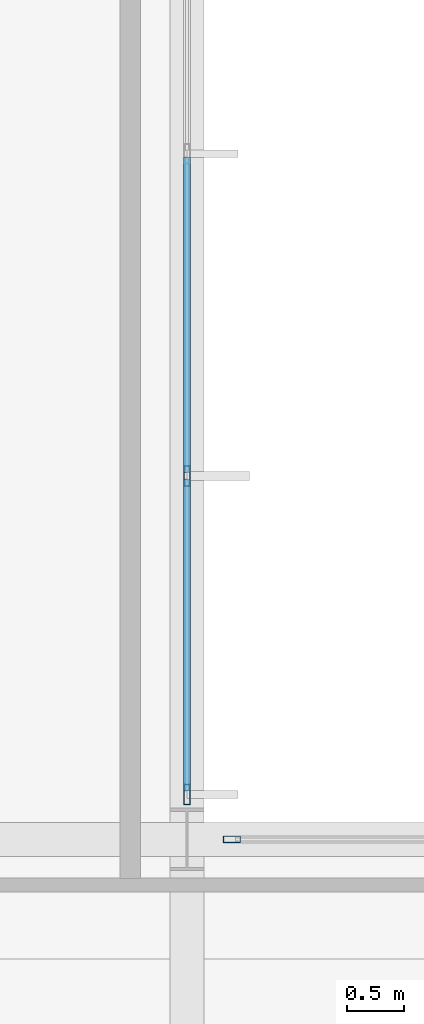
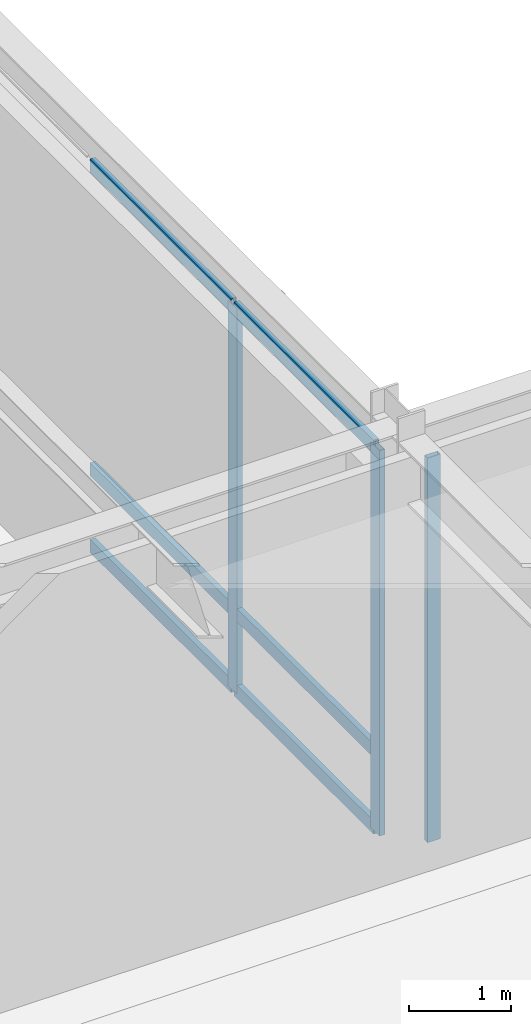
# One storey, part 49 of 143: 9 members, 2 elements without a shape of their own.
"""IFC4 building model written with IfcOpenShell, lengths in metres."""

import ifcopenshell
import ifcopenshell.guid

model = None  # the IFC model being written
_history = None  # IfcOwnerHistory: only IFC2X3 demands one
_inside = {}  # id of a spatial element -> (the spatial element, [elements in it])
_under = {}  # id of a project, library or spatial element -> (it, [spatial elements below it])
_declared = {}  # id of a project -> (the project, [libraries it declares])
_typed = {}  # id of a type object -> (the type object, [elements of that type])
_made_of = {}  # id of a material, layer set ... -> (it, [elements and type objects made of it])


def new_model(schema):
    """Start an empty IFC model of exactly this schema.

    Asked for "IFC4X3", IfcOpenShell would pick the latest addendum, in which some entities
    have other attributes; the version numbers below select the first issue.
    IFC2X3 requires an IfcOwnerHistory on every rooted entity: one is made here for all.
    """
    global model, _history
    if schema == "IFC4X3":
        model = ifcopenshell.file(schema_version=(4, 3, 0, 0))
    else:
        model = ifcopenshell.file(schema=schema)
    _inside.clear()
    _under.clear()
    _declared.clear()
    _typed.clear()
    _made_of.clear()
    _history = None
    if model.schema == "IFC2X3":
        org = make("IfcOrganization", Name="unknown")
        user = make(
            "IfcPersonAndOrganization",
            ThePerson=make("IfcPerson", FamilyName="unknown"),
            TheOrganization=org,
        )
        app = make(
            "IfcApplication",
            ApplicationDeveloper=org,
            Version="unknown",
            ApplicationFullName="unknown",
            ApplicationIdentifier="unknown",
        )
        _history = make(
            "IfcOwnerHistory",
            OwningUser=user,
            OwningApplication=app,
            ChangeAction="ADDED",
            CreationDate=0,
        )
    return model


def make(cls, **values):
    """One entity of the class cls with the attributes given. An attribute that is None is left unset."""
    return model.create_entity(
        cls, **{name: value for name, value in values.items() if value is not None}
    )


def rooted(cls, **values):
    """An entity with a GlobalId (a new one), such as an element, a storey or a relation."""
    return make(cls, GlobalId=ifcopenshell.guid.new(), OwnerHistory=_history, **values)


def si_unit(unit_type, name, prefix=None):
    """IfcSIUnit, for example si_unit("LENGTHUNIT", "METRE", prefix="MILLI")."""
    return make("IfcSIUnit", UnitType=unit_type, Prefix=prefix, Name=name)


def assignment(units):
    """IfcUnitAssignment: the units of a project."""
    return None if units is None else make("IfcUnitAssignment", Units=units)


def point(xyz):
    """IfcCartesianPoint."""
    return None if xyz is None else make("IfcCartesianPoint", Coordinates=xyz)


def direction(xyz):
    """IfcDirection."""
    return None if xyz is None else make("IfcDirection", DirectionRatios=xyz)


def frame(location, z_axis=None, x_axis=None):
    """IfcAxis2Placement3D, a coordinate frame: its origin and axes. An axis left out is left unset."""
    return make(
        "IfcAxis2Placement3D",
        Location=point(location),
        Axis=direction(z_axis),
        RefDirection=direction(x_axis),
    )


def frame_2d(location, x_axis=None):
    """IfcAxis2Placement2D, a coordinate frame in the plane: its origin and x axis."""
    return make(
        "IfcAxis2Placement2D", Location=point(location), RefDirection=direction(x_axis)
    )


def origin():
    """The frame at (0, 0, 0) with its axes left unset."""
    return frame((0.0, 0.0, 0.0))


def origin_2d():
    """The frame at (0, 0) in the plane with its x axis left unset."""
    return frame_2d((0.0, 0.0))


def place(relative_to, where):
    """IfcLocalPlacement: puts the frame where relative to a parent placement (None: the world)."""
    return make(
        "IfcLocalPlacement", PlacementRelTo=relative_to, RelativePlacement=where
    )


def context(
    kind, dimensions, precision=None, world=None, true_north=None, identifier=None
):
    """IfcGeometricRepresentationContext, for example the 3D "Model" context."""
    return make(
        "IfcGeometricRepresentationContext",
        ContextIdentifier=identifier,
        ContextType=kind,
        CoordinateSpaceDimension=dimensions,
        Precision=precision,
        WorldCoordinateSystem=world,
        TrueNorth=true_north,
    )


def subcontext(parent, identifier, kind, view, scale=None):
    """IfcGeometricRepresentationSubContext, for example "Body" below "Model"."""
    return make(
        "IfcGeometricRepresentationSubContext",
        ContextIdentifier=identifier,
        ContextType=kind,
        ParentContext=parent,
        TargetScale=scale,
        TargetView=view,
    )


def project(units=None, contexts=None):
    """IfcProject with its units and contexts."""
    return rooted(
        "IfcProject",
        Name="project",
        RepresentationContexts=contexts,
        UnitsInContext=assignment(units),
    )


def spatial(cls, under=None, at=None, **own):
    """A site, building, storey or space (cls), placed at a placement, below another one or the project."""
    s = rooted(cls, ObjectPlacement=at, **own)
    if under is not None:
        _under.setdefault(under.id(), (under, []))[1].append(s)
    return s


def profile(cls, at=None, kind="AREA", **sizes):
    """A parametric profile (cls). Its sizes go by their IFC names, for example OverallWidth=200.0."""
    return make(cls, ProfileType=kind, Position=at, **sizes)


def hollow_rectangle(**sizes):
    """IfcRectangleHollowProfileDef."""
    return profile("IfcRectangleHollowProfileDef", **sizes)


def extrude(swept, where, along, depth):
    """IfcExtrudedAreaSolid: the profile swept, set in the frame where, extruded along a direction by depth."""
    return make(
        "IfcExtrudedAreaSolid",
        SweptArea=swept,
        Position=where,
        ExtrudedDirection=direction(along),
        Depth=depth,
    )


def shape(context_of_items, identifier, shape_type, items):
    """IfcShapeRepresentation: the items that make up one representation, for example the "Body"."""
    return make(
        "IfcShapeRepresentation",
        ContextOfItems=context_of_items,
        RepresentationIdentifier=identifier,
        RepresentationType=shape_type,
        Items=items,
    )


def material(Name=None, Category=None):
    """IfcMaterial."""
    return make("IfcMaterial", Name=Name, Category=Category)


def layer(
    of_material, thickness, ventilated=None, Name=None, Category=None, Priority=None
):
    """IfcMaterialLayer: one layer of a wall or slab, of a material (None: an air gap)."""
    return make(
        "IfcMaterialLayer",
        Material=of_material,
        LayerThickness=thickness,
        IsVentilated=ventilated,
        Name=Name,
        Category=Category,
        Priority=Priority,
    )


def layer_set(layers, Name=None):
    """IfcMaterialLayerSet."""
    return make("IfcMaterialLayerSet", MaterialLayers=layers, LayerSetName=Name)


def material_profile(
    of_material, cross_section, Name=None, Category=None, Priority=None
):
    """IfcMaterialProfile: a cross section and its material."""
    return make(
        "IfcMaterialProfile",
        Name=Name,
        Material=of_material,
        Profile=cross_section,
        Priority=Priority,
        Category=Category,
    )


def profile_set(profiles, Name=None, composite=None):
    """IfcMaterialProfileSet."""
    return make(
        "IfcMaterialProfileSet",
        Name=Name,
        MaterialProfiles=profiles,
        CompositeProfile=composite,
    )


def made_of(thing, what):
    """Note that an element or type object is made of a material, layer set ...; save() writes the relation."""
    if what is not None:
        _made_of.setdefault(what.id(), (what, []))[1].append(thing)
    return thing


def type_object(cls, material=None, **own):
    """A type object (cls), such as IfcWallType, which elements share."""
    return made_of(rooted(cls, **own), material)


def element(
    cls,
    number,
    at=None,
    inside=None,
    cuts=None,
    type_object=None,
    material=None,
    context=None,
    identifier="Body",
    shape_type=None,
    held_by="IfcProductDefinitionShape",
    body=None,
    shapes=None,
    **own,
):
    """One element of the class cls, such as IfcWall. Its Tag is "e" and its number.

    at: its placement. inside: the storey or other place that contains it. cuts: it is an
    opening in that element (IfcRelVoidsElement). A single representation is given by context,
    identifier, shape_type and body (its items); several are given by shapes. held_by: the class
    of the entity that holds the representations. save() writes the other relations.
    """
    e = rooted(cls, Tag="e%d" % number, ObjectPlacement=at, **own)
    if body is not None:
        shapes = [shape(context, identifier, shape_type, body)]
    if shapes is not None:
        e.Representation = make(held_by, Representations=shapes)
    if inside is not None:
        _inside.setdefault(inside.id(), (inside, []))[1].append(e)
    if cuts is not None:
        rooted(
            "IfcRelVoidsElement", RelatingBuildingElement=cuts, RelatedOpeningElement=e
        )
    if type_object is not None:
        _typed.setdefault(type_object.id(), (type_object, []))[1].append(e)
    return made_of(e, material)


def aggregate(whole, parts):
    """IfcRelAggregates: a whole, such as a stair, and the parts it consists of."""
    return rooted("IfcRelAggregates", RelatingObject=whole, RelatedObjects=parts)


def save(model, path):
    """Write the relations noted so far, then the file.

    IfcRelAggregates (storeys below a building ...), IfcRelContainedInSpatialStructure (elements
    in a storey), IfcRelDefinesByType, IfcRelAssociatesMaterial and IfcRelDeclares: one each for
    every whole, place, type object, material and project.
    """
    for whole, parts in _under.values():
        aggregate(whole, parts)
    for where, things in _inside.values():
        rooted(
            "IfcRelContainedInSpatialStructure",
            RelatedElements=things,
            RelatingStructure=where,
        )
    for kind, things in _typed.values():
        rooted("IfcRelDefinesByType", RelatedObjects=things, RelatingType=kind)
    for what, things in _made_of.values():
        rooted("IfcRelAssociatesMaterial", RelatedObjects=things, RelatingMaterial=what)
    for by, libraries in _declared.values():
        rooted("IfcRelDeclares", RelatingContext=by, RelatedDefinitions=libraries)
    model.write(path)


model = new_model("IFC4")

# Units and contexts
model_context = context("Model", 3, precision=1e-05, world=origin(), true_north=direction((0.0, 1.0)))
body_context = subcontext(model_context, "Body", "Model", "MODEL_VIEW")
ifc_project = project(units=[si_unit("LENGTHUNIT", "METRE"), si_unit("AREAUNIT", "SQUARE_METRE"), si_unit("VOLUMEUNIT", "CUBIC_METRE"), si_unit("PLANEANGLEUNIT", "RADIAN"), si_unit("MASSUNIT", "GRAM", prefix="KILO")], contexts=[model_context])

# Site, building, storey
site_placement = place(None, origin())
site = spatial("IfcSite", under=ifc_project, at=site_placement, CompositionType="ELEMENT")
building_placement = place(site_placement, origin())
building = spatial("IfcBuilding", under=site, at=building_placement, Name="Montelvaro Courts of Justice", CompositionType="ELEMENT")
storey_placement = place(building_placement, origin())
storey = spatial("IfcBuildingStorey", under=building, at=storey_placement, Name="L00", CompositionType="ELEMENT", Elevation=0.0)

# Curtain wall, member
ifc_material = material(Name="Anodised aluminium EN AW-6063", Category="aluminium")
ifc_layer_1 = layer(ifc_material, 0.159912109375)
ifc_layer_set_1 = layer_set([ifc_layer_1], Name="Anodised aluminium EN AW-6063")
curtain_wall_type_1 = type_object("IfcCurtainWallType", Name="CurtainWall_01_827x508", PredefinedType="USERDEFINED", material=ifc_layer_set_1)
curtain_wall_1_placement = place(storey_placement, origin())
curtain_wall_1 = element("IfcCurtainWall", 1, at=curtain_wall_1_placement, inside=storey, type_object=curtain_wall_type_1, Name="Curtain Wall CW-01 (L00)", ObjectType="CURTAIN WALL", PredefinedType="USERDEFINED")
ifc_material_profile_1 = material_profile(ifc_material, hollow_rectangle(XDim=0.06005859375, YDim=0.14990234375, WallThickness=0.00390625, at=origin_2d()), Name="ALU-M 60x150")
ifc_profile_set_1 = profile_set([ifc_material_profile_1], Name="Anodised aluminium EN AW-6063")
member_type_1 = type_object("IfcMemberType", Name="CurtainWall_Mullion_60x150", PredefinedType="MULLION", material=ifc_profile_set_1)
member_1_placement = place(storey_placement, frame((126.39501953125, 42.0, 0.0), z_axis=(0.0, 0.0, 1.0), x_axis=(0.0, -1.0, 0.0)))
member_1 = element("IfcMember", 2, at=member_1_placement, type_object=member_type_1, Name="CW-01 mullion 4", PredefinedType="MULLION", context=body_context, shape_type="SweptSolid", body=[
    extrude(hollow_rectangle(XDim=0.06005859375, YDim=0.14990234375, WallThickness=0.00390625, at=origin_2d()), origin(), (0.0, 0.0, 1.0), 4.614990234375),
])
aggregate(curtain_wall_1, [member_1])

# Curtain wall, members
ifc_layer_2 = layer(ifc_material, 0.159912109375)
ifc_layer_set_2 = layer_set([ifc_layer_2], Name="Anodised aluminium EN AW-6063")
curtain_wall_type_2 = type_object("IfcCurtainWallType", Name="CurtainWall_03_1132x508", PredefinedType="USERDEFINED", material=ifc_layer_set_2)
curtain_wall_2_placement = place(storey_placement, origin())
curtain_wall_2 = element("IfcCurtainWall", 3, at=curtain_wall_2_placement, inside=storey, type_object=curtain_wall_type_2, Name="Curtain Wall CW-03 (L00)", ObjectType="CURTAIN WALL", PredefinedType="USERDEFINED")
ifc_material_profile_2 = material_profile(ifc_material, hollow_rectangle(XDim=0.06005859375, YDim=0.179931640625, WallThickness=0.00439453125, at=origin_2d()), Name="ALU-M 60x180")
ifc_profile_set_2 = profile_set([ifc_material_profile_2], Name="Anodised aluminium EN AW-6063")
member_type_2 = type_object("IfcMemberType", Name="CurtainWall_Mullion_60x180", PredefinedType="MULLION", material=ifc_profile_set_2)
member_2_placement = place(storey_placement, frame((126.0, 42.39501953125, 0.0), z_axis=(0.0, 0.0, 1.0), x_axis=(-1.0, 0.0, 0.0)))
member_2 = element("IfcMember", 4, at=member_2_placement, type_object=member_type_2, Name="CW-03 mullion 1", PredefinedType="MULLION", context=body_context, shape_type="SweptSolid", body=[
    extrude(hollow_rectangle(XDim=0.06005859375, YDim=0.179931640625, WallThickness=0.00439453125, at=origin_2d()), origin(), (0.0, 0.0, 1.0), 4.625),
])
member_3_placement = place(storey_placement, frame((126.0, 45.195068359375, 0.0), z_axis=(0.0, 0.0, 1.0), x_axis=(-1.0, 0.0, 0.0)))
member_3 = element("IfcMember", 5, at=member_3_placement, type_object=member_type_2, Name="CW-03 mullion 2", PredefinedType="MULLION", context=body_context, shape_type="SweptSolid", body=[
    extrude(hollow_rectangle(XDim=0.06005859375, YDim=0.179931640625, WallThickness=0.00439453125, at=origin_2d()), origin(), (0.0, 0.0, 1.0), 4.625),
])
ifc_material_profile_3 = material_profile(ifc_material, hollow_rectangle(XDim=0.06005859375, YDim=0.159912109375, WallThickness=0.00439453125, at=origin_2d()), Name="ALU-T 60x160")
ifc_profile_set_3 = profile_set([ifc_material_profile_3], Name="Anodised aluminium EN AW-6063")
member_type_3 = type_object("IfcMemberType", Name="CurtainWall_Transom_60x160", PredefinedType="USERDEFINED", material=ifc_profile_set_3)
member_4_placement = place(storey_placement, frame((126.0, 42.425048828125, 0.030029296875), z_axis=(0.0, 1.0, 0.0), x_axis=(-1.0, 0.0, 0.0)))
member_4 = element("IfcMember", 6, at=member_4_placement, type_object=member_type_3, Name="CW-03 transom 1.1", ObjectType="TRANSOM", PredefinedType="USERDEFINED", context=body_context, shape_type="SweptSolid", body=[
    extrude(hollow_rectangle(XDim=0.06005859375, YDim=0.159912109375, WallThickness=0.00439453125, at=origin_2d()), origin(), (0.0, 0.0, 1.0), 2.739990234375),
])
member_5_placement = place(storey_placement, frame((126.0, 42.425048828125, 0.949951171875), z_axis=(0.0, 1.0, 0.0), x_axis=(-1.0, 0.0, 0.0)))
member_5 = element("IfcMember", 7, at=member_5_placement, type_object=member_type_3, Name="CW-03 transom 1.2", ObjectType="TRANSOM", PredefinedType="USERDEFINED", context=body_context, shape_type="SweptSolid", body=[
    extrude(hollow_rectangle(XDim=0.06005859375, YDim=0.159912109375, WallThickness=0.00439453125, at=origin_2d()), origin(), (0.0, 0.0, 1.0), 2.739990234375),
])
member_6_placement = place(storey_placement, frame((126.0, 42.425048828125, 4.594970703125), z_axis=(0.0, 1.0, 0.0), x_axis=(-1.0, 0.0, 0.0)))
member_6 = element("IfcMember", 8, at=member_6_placement, type_object=member_type_3, Name="CW-03 transom 1.3", ObjectType="TRANSOM", PredefinedType="USERDEFINED", context=body_context, shape_type="SweptSolid", body=[
    extrude(hollow_rectangle(XDim=0.06005859375, YDim=0.159912109375, WallThickness=0.00439453125, at=origin_2d()), origin(), (0.0, 0.0, 1.0), 2.739990234375),
])
member_7_placement = place(storey_placement, frame((126.0, 45.22509765625, 0.030029296875), z_axis=(0.0, 1.0, 0.0), x_axis=(-1.0, 0.0, 0.0)))
member_7 = element("IfcMember", 9, at=member_7_placement, type_object=member_type_3, Name="CW-03 transom 2.1", ObjectType="TRANSOM", PredefinedType="USERDEFINED", context=body_context, shape_type="SweptSolid", body=[
    extrude(hollow_rectangle(XDim=0.06005859375, YDim=0.159912109375, WallThickness=0.00439453125, at=origin_2d()), origin(), (0.0, 0.0, 1.0), 2.77001953125),
])
member_8_placement = place(storey_placement, frame((126.0, 45.22509765625, 0.949951171875), z_axis=(0.0, 1.0, 0.0), x_axis=(-1.0, 0.0, 0.0)))
member_8 = element("IfcMember", 10, at=member_8_placement, type_object=member_type_3, Name="CW-03 transom 2.2", ObjectType="TRANSOM", PredefinedType="USERDEFINED", context=body_context, shape_type="SweptSolid", body=[
    extrude(hollow_rectangle(XDim=0.06005859375, YDim=0.159912109375, WallThickness=0.00439453125, at=origin_2d()), origin(), (0.0, 0.0, 1.0), 2.77001953125),
])
member_9_placement = place(storey_placement, frame((126.0, 45.22509765625, 4.594970703125), z_axis=(0.0, 1.0, 0.0), x_axis=(-1.0, 0.0, 0.0)))
member_9 = element("IfcMember", 11, at=member_9_placement, type_object=member_type_3, Name="CW-03 transom 2.3", ObjectType="TRANSOM", PredefinedType="USERDEFINED", context=body_context, shape_type="SweptSolid", body=[
    extrude(hollow_rectangle(XDim=0.06005859375, YDim=0.159912109375, WallThickness=0.00439453125, at=origin_2d()), origin(), (0.0, 0.0, 1.0), 2.77001953125),
])
aggregate(curtain_wall_2, [member_2, member_3, member_4, member_5, member_6, member_7, member_8, member_9])

save(model, "model.ifc")
